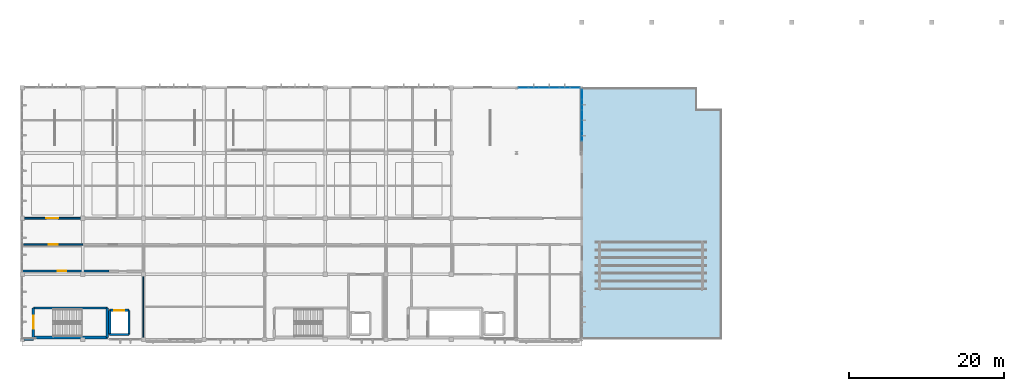
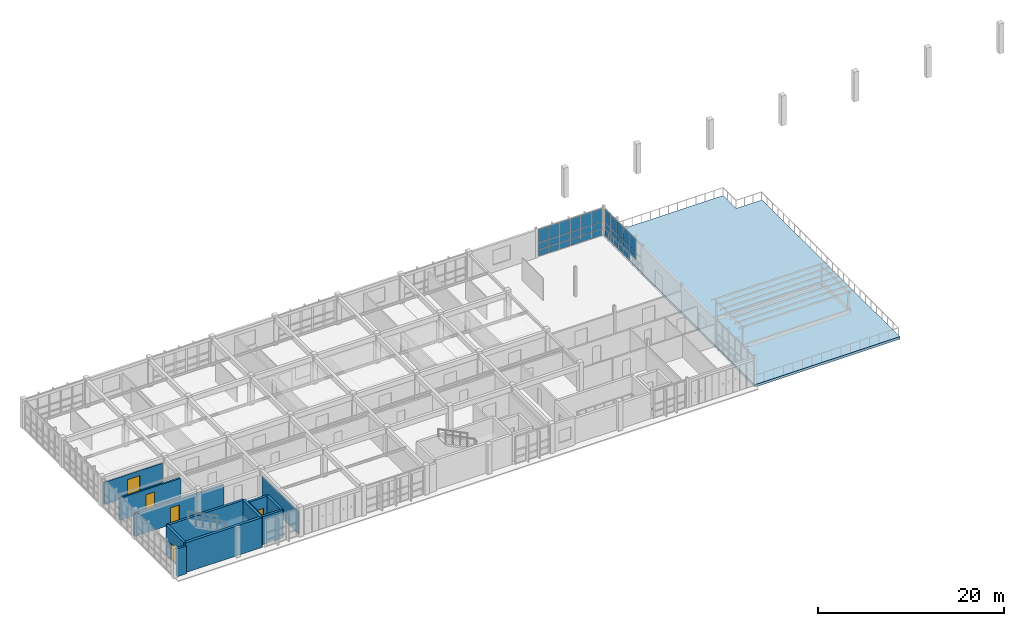
# One storey, part 21 of 35: 32 plates, 13 walls, 5 doors, 1 slab, 5 openings, 2 elements without a shape of their own.
"""IFC4 building model written with IfcOpenShell, lengths in metres."""

from ifc_helpers import new_model, si_unit, direction, frame, frame_2d, origin, origin_2d, place, context, subcontext, project, spatial, polyline, rectangle, outline, extrude, material, layer, layer_set, type_object, element, fill, aggregate, save


model = new_model("IFC4")

# Units and contexts
model_context = context("Model", 3, precision=1e-05, world=origin(), true_north=direction((0.0, 1.0)))
body_context = subcontext(model_context, "Body", "Model", "MODEL_VIEW")
ifc_project = project(units=[si_unit("LENGTHUNIT", "METRE"), si_unit("AREAUNIT", "SQUARE_METRE"), si_unit("VOLUMEUNIT", "CUBIC_METRE"), si_unit("PLANEANGLEUNIT", "RADIAN"), si_unit("MASSUNIT", "GRAM", prefix="KILO")], contexts=[model_context])

# Site, building, storey
site_placement = place(None, origin())
site = spatial("IfcSite", under=ifc_project, at=site_placement, CompositionType="ELEMENT")
building_placement = place(site_placement, origin())
building = spatial("IfcBuilding", under=site, at=building_placement, Name="Tizgana Railside Sports Hall", CompositionType="ELEMENT")
storey_placement = place(building_placement, frame((0.0, 0.0, 15.89990234375)))
storey = spatial("IfcBuildingStorey", under=building, at=storey_placement, Name="L03", CompositionType="ELEMENT", Elevation=15.89990234375)

# Curtain wall, plates
ifc_material_1 = material(Name="Anodised aluminium and glass", Category="aluminium")
curtain_wall_type_1 = type_object("IfcCurtainWallType", Name="Unitised Curtain Wall Passage 1800", PredefinedType="NOTDEFINED", material=ifc_material_1)
curtain_wall_1_placement = place(storey_placement, origin())
curtain_wall_1 = element("IfcCurtainWall", 1, at=curtain_wall_1_placement, inside=storey, type_object=curtain_wall_type_1, Name="L03 Curtain Wall CW-0133", PredefinedType="NOTDEFINED")
ifc_material_2 = material(Name="Double low-E laminated glass", Category="glass")
ifc_layer_1 = layer(ifc_material_2, 0.033935546875, Name="Double low-E laminated glass")
ifc_layer_set_1 = layer_set([ifc_layer_1], Name="Double low-E laminated glass")
plate_type_1 = type_object("IfcPlateType", Name="Acoustic Laminated Glazing Panel 34", PredefinedType="CURTAIN_PANEL", material=ifc_layer_set_1)
plate_1_placement = place(storey_placement, frame((79.800048828125, 31.5224609375, 0.06005859375), z_axis=(0.0, 0.0, 1.0), x_axis=(0.0, -1.0, 0.0)))
plate_1 = element("IfcPlate", 2, at=plate_1_placement, type_object=plate_type_1, Name="CW-06 panel 1.1", PredefinedType="CURTAIN_PANEL", context=body_context, shape_type="SweptSolid", body=[
    extrude(rectangle(XDim=1.2451171875, YDim=0.033935546875, at=origin_2d()), origin(), (0.0, 0.0, 1.0), 0.81005859375),
])
plate_2_placement = place(storey_placement, frame((79.800048828125, 31.5224609375, 0.93017578125), z_axis=(0.0, 0.0, 1.0), x_axis=(0.0, -1.0, 0.0)))
plate_2 = element("IfcPlate", 3, at=plate_2_placement, type_object=plate_type_1, Name="CW-06 panel 1.2", PredefinedType="CURTAIN_PANEL", context=body_context, shape_type="SweptSolid", body=[
    extrude(rectangle(XDim=1.2451171875, YDim=0.033935546875, at=origin_2d()), origin(), (0.0, 0.0, 1.0), 0.860107421875),
])
plate_3_placement = place(storey_placement, frame((79.800048828125, 31.5224609375, 1.85009765625), z_axis=(0.0, 0.0, 1.0), x_axis=(0.0, -1.0, 0.0)))
plate_3 = element("IfcPlate", 4, at=plate_3_placement, type_object=plate_type_1, Name="CW-06 panel 1.3", PredefinedType="CURTAIN_PANEL", context=body_context, shape_type="SweptSolid", body=[
    extrude(rectangle(XDim=1.2451171875, YDim=0.033935546875, at=origin_2d()), origin(), (0.0, 0.0, 1.0), 1.72998046875),
])
plate_4_placement = place(storey_placement, frame((79.800048828125, 30.202392578125, 0.06005859375), z_axis=(0.0, 0.0, 1.0), x_axis=(0.0, -1.0, 0.0)))
plate_4 = element("IfcPlate", 5, at=plate_4_placement, type_object=plate_type_1, Name="CW-06 panel 2.1", PredefinedType="CURTAIN_PANEL", context=body_context, shape_type="SweptSolid", body=[
    extrude(rectangle(XDim=1.27490234375, YDim=0.033935546875, at=origin_2d()), origin(), (0.0, 0.0, 1.0), 0.81005859375),
])
plate_5_placement = place(storey_placement, frame((79.800048828125, 30.202392578125, 0.93017578125), z_axis=(0.0, 0.0, 1.0), x_axis=(0.0, -1.0, 0.0)))
plate_5 = element("IfcPlate", 6, at=plate_5_placement, type_object=plate_type_1, Name="CW-06 panel 2.2", PredefinedType="CURTAIN_PANEL", context=body_context, shape_type="SweptSolid", body=[
    extrude(rectangle(XDim=1.27490234375, YDim=0.033935546875, at=origin_2d()), origin(), (0.0, 0.0, 1.0), 0.860107421875),
])
plate_6_placement = place(storey_placement, frame((79.800048828125, 30.202392578125, 1.85009765625), z_axis=(0.0, 0.0, 1.0), x_axis=(0.0, -1.0, 0.0)))
plate_6 = element("IfcPlate", 7, at=plate_6_placement, type_object=plate_type_1, Name="CW-06 panel 2.3", PredefinedType="CURTAIN_PANEL", context=body_context, shape_type="SweptSolid", body=[
    extrude(rectangle(XDim=1.27490234375, YDim=0.033935546875, at=origin_2d()), origin(), (0.0, 0.0, 1.0), 1.72998046875),
])
plate_7_placement = place(storey_placement, frame((79.800048828125, 28.867431640625, 0.06005859375), z_axis=(0.0, 0.0, 1.0), x_axis=(0.0, -1.0, 0.0)))
plate_7 = element("IfcPlate", 8, at=plate_7_placement, type_object=plate_type_1, Name="CW-06 panel 3.1", PredefinedType="CURTAIN_PANEL", context=body_context, shape_type="SweptSolid", body=[
    extrude(rectangle(XDim=1.27490234375, YDim=0.033935546875, at=origin_2d()), origin(), (0.0, 0.0, 1.0), 0.81005859375),
])
plate_8_placement = place(storey_placement, frame((79.800048828125, 28.867431640625, 0.93017578125), z_axis=(0.0, 0.0, 1.0), x_axis=(0.0, -1.0, 0.0)))
plate_8 = element("IfcPlate", 9, at=plate_8_placement, type_object=plate_type_1, Name="CW-06 panel 3.2", PredefinedType="CURTAIN_PANEL", context=body_context, shape_type="SweptSolid", body=[
    extrude(rectangle(XDim=1.27490234375, YDim=0.033935546875, at=origin_2d()), origin(), (0.0, 0.0, 1.0), 0.860107421875),
])
plate_9_placement = place(storey_placement, frame((79.800048828125, 28.867431640625, 1.85009765625), z_axis=(0.0, 0.0, 1.0), x_axis=(0.0, -1.0, 0.0)))
plate_9 = element("IfcPlate", 10, at=plate_9_placement, type_object=plate_type_1, Name="CW-06 panel 3.3", PredefinedType="CURTAIN_PANEL", context=body_context, shape_type="SweptSolid", body=[
    extrude(rectangle(XDim=1.27490234375, YDim=0.033935546875, at=origin_2d()), origin(), (0.0, 0.0, 1.0), 1.72998046875),
])
plate_10_placement = place(storey_placement, frame((79.800048828125, 27.532470703125, 0.06005859375), z_axis=(0.0, 0.0, 1.0), x_axis=(0.0, -1.0, 0.0)))
plate_10 = element("IfcPlate", 11, at=plate_10_placement, type_object=plate_type_1, Name="CW-06 panel 4.1", PredefinedType="CURTAIN_PANEL", context=body_context, shape_type="SweptSolid", body=[
    extrude(rectangle(XDim=1.27490234375, YDim=0.033935546875, at=origin_2d()), origin(), (0.0, 0.0, 1.0), 0.81005859375),
])
plate_11_placement = place(storey_placement, frame((79.800048828125, 27.532470703125, 0.93017578125), z_axis=(0.0, 0.0, 1.0), x_axis=(0.0, -1.0, 0.0)))
plate_11 = element("IfcPlate", 12, at=plate_11_placement, type_object=plate_type_1, Name="CW-06 panel 4.2", PredefinedType="CURTAIN_PANEL", context=body_context, shape_type="SweptSolid", body=[
    extrude(rectangle(XDim=1.27490234375, YDim=0.033935546875, at=origin_2d()), origin(), (0.0, 0.0, 1.0), 0.860107421875),
])
plate_12_placement = place(storey_placement, frame((79.800048828125, 27.532470703125, 1.85009765625), z_axis=(0.0, 0.0, 1.0), x_axis=(0.0, -1.0, 0.0)))
plate_12 = element("IfcPlate", 13, at=plate_12_placement, type_object=plate_type_1, Name="CW-06 panel 4.3", PredefinedType="CURTAIN_PANEL", context=body_context, shape_type="SweptSolid", body=[
    extrude(rectangle(XDim=1.27490234375, YDim=0.033935546875, at=origin_2d()), origin(), (0.0, 0.0, 1.0), 1.72998046875),
])
plate_13_placement = place(storey_placement, frame((79.800048828125, 26.197509765625, 0.93017578125), z_axis=(0.0, 0.0, 1.0), x_axis=(0.0, -1.0, 0.0)))
plate_13 = element("IfcPlate", 14, at=plate_13_placement, type_object=plate_type_1, Name="CW-06 panel 5.2", PredefinedType="CURTAIN_PANEL", context=body_context, shape_type="SweptSolid", body=[
    extrude(rectangle(XDim=1.27490234375, YDim=0.033935546875, at=origin_2d()), origin(), (0.0, 0.0, 1.0), 0.860107421875),
])
plate_14_placement = place(storey_placement, frame((79.800048828125, 26.197509765625, 1.85009765625), z_axis=(0.0, 0.0, 1.0), x_axis=(0.0, -1.0, 0.0)))
plate_14 = element("IfcPlate", 15, at=plate_14_placement, type_object=plate_type_1, Name="CW-06 panel 5.3", PredefinedType="CURTAIN_PANEL", context=body_context, shape_type="SweptSolid", body=[
    extrude(rectangle(XDim=1.27490234375, YDim=0.033935546875, at=origin_2d()), origin(), (0.0, 0.0, 1.0), 1.72998046875),
])
aggregate(curtain_wall_1, [plate_1, plate_2, plate_3, plate_4, plate_5, plate_6, plate_7, plate_8, plate_9, plate_10, plate_11, plate_12, plate_13, plate_14])

curtain_wall_type_2 = type_object("IfcCurtainWallType", Name="Unitised Curtain Wall EastHall 1500", PredefinedType="NOTDEFINED", material=ifc_material_1)
curtain_wall_2_placement = place(storey_placement, origin())
curtain_wall_2 = element("IfcCurtainWall", 16, at=curtain_wall_2_placement, inside=storey, type_object=curtain_wall_type_2, Name="L03 Curtain Wall CW-0127", PredefinedType="NOTDEFINED")
ifc_layer_2 = layer(ifc_material_2, 0.031982421875, Name="Double low-E laminated glass")
ifc_layer_set_2 = layer_set([ifc_layer_2], Name="Double low-E laminated glass")
plate_type_2 = type_object("IfcPlateType", Name="North-Light Clerestory Glazing Panel 32", PredefinedType="CURTAIN_PANEL", material=ifc_layer_set_2)
plate_15_placement = place(storey_placement, frame((72.277587890625, 32.39990234375, 0.06005859375), z_axis=(0.0, 0.0, 1.0), x_axis=(1.0, 0.0, 0.0)))
plate_15 = element("IfcPlate", 17, at=plate_15_placement, type_object=plate_type_2, Name="CW-08 panel 1.1", PredefinedType="CURTAIN_PANEL", context=body_context, shape_type="SweptSolid", body=[
    extrude(rectangle(XDim=1.2451171875, YDim=0.031982421875, at=origin_2d()), origin(), (0.0, 0.0, 1.0), 0.81005859375),
])
plate_16_placement = place(storey_placement, frame((72.277587890625, 32.39990234375, 0.93017578125), z_axis=(0.0, 0.0, 1.0), x_axis=(1.0, 0.0, 0.0)))
plate_16 = element("IfcPlate", 18, at=plate_16_placement, type_object=plate_type_2, Name="CW-08 panel 1.2", PredefinedType="CURTAIN_PANEL", context=body_context, shape_type="SweptSolid", body=[
    extrude(rectangle(XDim=1.2451171875, YDim=0.031982421875, at=origin_2d()), origin(), (0.0, 0.0, 1.0), 0.860107421875),
])
plate_17_placement = place(storey_placement, frame((72.277587890625, 32.39990234375, 1.85009765625), z_axis=(0.0, 0.0, 1.0), x_axis=(1.0, 0.0, 0.0)))
plate_17 = element("IfcPlate", 19, at=plate_17_placement, type_object=plate_type_2, Name="CW-08 panel 1.3", PredefinedType="CURTAIN_PANEL", context=body_context, shape_type="SweptSolid", body=[
    extrude(rectangle(XDim=1.2451171875, YDim=0.031982421875, at=origin_2d()), origin(), (0.0, 0.0, 1.0), 1.72998046875),
])
plate_18_placement = place(storey_placement, frame((73.597412109375, 32.39990234375, 0.06005859375), z_axis=(0.0, 0.0, 1.0), x_axis=(1.0, 0.0, 0.0)))
plate_18 = element("IfcPlate", 20, at=plate_18_placement, type_object=plate_type_2, Name="CW-08 panel 2.1", PredefinedType="CURTAIN_PANEL", context=body_context, shape_type="SweptSolid", body=[
    extrude(rectangle(XDim=1.27490234375, YDim=0.031982421875, at=origin_2d()), origin(), (0.0, 0.0, 1.0), 0.81005859375),
])
plate_19_placement = place(storey_placement, frame((73.597412109375, 32.39990234375, 0.93017578125), z_axis=(0.0, 0.0, 1.0), x_axis=(1.0, 0.0, 0.0)))
plate_19 = element("IfcPlate", 21, at=plate_19_placement, type_object=plate_type_2, Name="CW-08 panel 2.2", PredefinedType="CURTAIN_PANEL", context=body_context, shape_type="SweptSolid", body=[
    extrude(rectangle(XDim=1.27490234375, YDim=0.031982421875, at=origin_2d()), origin(), (0.0, 0.0, 1.0), 0.860107421875),
])
plate_20_placement = place(storey_placement, frame((73.597412109375, 32.39990234375, 1.85009765625), z_axis=(0.0, 0.0, 1.0), x_axis=(1.0, 0.0, 0.0)))
plate_20 = element("IfcPlate", 22, at=plate_20_placement, type_object=plate_type_2, Name="CW-08 panel 2.3", PredefinedType="CURTAIN_PANEL", context=body_context, shape_type="SweptSolid", body=[
    extrude(rectangle(XDim=1.27490234375, YDim=0.031982421875, at=origin_2d()), origin(), (0.0, 0.0, 1.0), 1.72998046875),
])
plate_21_placement = place(storey_placement, frame((74.9326171875, 32.39990234375, 0.06005859375), z_axis=(0.0, 0.0, 1.0), x_axis=(1.0, 0.0, 0.0)))
plate_21 = element("IfcPlate", 23, at=plate_21_placement, type_object=plate_type_2, Name="CW-08 panel 3.1", PredefinedType="CURTAIN_PANEL", context=body_context, shape_type="SweptSolid", body=[
    extrude(rectangle(XDim=1.27490234375, YDim=0.031982421875, at=origin_2d()), origin(), (0.0, 0.0, 1.0), 0.81005859375),
])
plate_22_placement = place(storey_placement, frame((74.9326171875, 32.39990234375, 0.93017578125), z_axis=(0.0, 0.0, 1.0), x_axis=(1.0, 0.0, 0.0)))
plate_22 = element("IfcPlate", 24, at=plate_22_placement, type_object=plate_type_2, Name="CW-08 panel 3.2", PredefinedType="CURTAIN_PANEL", context=body_context, shape_type="SweptSolid", body=[
    extrude(rectangle(XDim=1.27490234375, YDim=0.031982421875, at=origin_2d()), origin(), (0.0, 0.0, 1.0), 0.860107421875),
])
plate_23_placement = place(storey_placement, frame((74.9326171875, 32.39990234375, 1.85009765625), z_axis=(0.0, 0.0, 1.0), x_axis=(1.0, 0.0, 0.0)))
plate_23 = element("IfcPlate", 25, at=plate_23_placement, type_object=plate_type_2, Name="CW-08 panel 3.3", PredefinedType="CURTAIN_PANEL", context=body_context, shape_type="SweptSolid", body=[
    extrude(rectangle(XDim=1.27490234375, YDim=0.031982421875, at=origin_2d()), origin(), (0.0, 0.0, 1.0), 1.72998046875),
])
plate_24_placement = place(storey_placement, frame((76.267578125, 32.39990234375, 0.06005859375), z_axis=(0.0, 0.0, 1.0), x_axis=(1.0, 0.0, 0.0)))
plate_24 = element("IfcPlate", 26, at=plate_24_placement, type_object=plate_type_2, Name="CW-08 panel 4.1", PredefinedType="CURTAIN_PANEL", context=body_context, shape_type="SweptSolid", body=[
    extrude(rectangle(XDim=1.27490234375, YDim=0.031982421875, at=origin_2d()), origin(), (0.0, 0.0, 1.0), 0.81005859375),
])
plate_25_placement = place(storey_placement, frame((76.267578125, 32.39990234375, 0.93017578125), z_axis=(0.0, 0.0, 1.0), x_axis=(1.0, 0.0, 0.0)))
plate_25 = element("IfcPlate", 27, at=plate_25_placement, type_object=plate_type_2, Name="CW-08 panel 4.2", PredefinedType="CURTAIN_PANEL", context=body_context, shape_type="SweptSolid", body=[
    extrude(rectangle(XDim=1.27490234375, YDim=0.031982421875, at=origin_2d()), origin(), (0.0, 0.0, 1.0), 0.860107421875),
])
plate_26_placement = place(storey_placement, frame((76.267578125, 32.39990234375, 1.85009765625), z_axis=(0.0, 0.0, 1.0), x_axis=(1.0, 0.0, 0.0)))
plate_26 = element("IfcPlate", 28, at=plate_26_placement, type_object=plate_type_2, Name="CW-08 panel 4.3", PredefinedType="CURTAIN_PANEL", context=body_context, shape_type="SweptSolid", body=[
    extrude(rectangle(XDim=1.27490234375, YDim=0.031982421875, at=origin_2d()), origin(), (0.0, 0.0, 1.0), 1.72998046875),
])
plate_27_placement = place(storey_placement, frame((77.6025390625, 32.39990234375, 0.06005859375), z_axis=(0.0, 0.0, 1.0), x_axis=(1.0, 0.0, 0.0)))
plate_27 = element("IfcPlate", 29, at=plate_27_placement, type_object=plate_type_2, Name="CW-08 panel 5.1", PredefinedType="CURTAIN_PANEL", context=body_context, shape_type="SweptSolid", body=[
    extrude(rectangle(XDim=1.27490234375, YDim=0.031982421875, at=origin_2d()), origin(), (0.0, 0.0, 1.0), 0.81005859375),
])
plate_28_placement = place(storey_placement, frame((77.6025390625, 32.39990234375, 0.93017578125), z_axis=(0.0, 0.0, 1.0), x_axis=(1.0, 0.0, 0.0)))
plate_28 = element("IfcPlate", 30, at=plate_28_placement, type_object=plate_type_2, Name="CW-08 panel 5.2", PredefinedType="CURTAIN_PANEL", context=body_context, shape_type="SweptSolid", body=[
    extrude(rectangle(XDim=1.27490234375, YDim=0.031982421875, at=origin_2d()), origin(), (0.0, 0.0, 1.0), 0.860107421875),
])
plate_29_placement = place(storey_placement, frame((77.6025390625, 32.39990234375, 1.85009765625), z_axis=(0.0, 0.0, 1.0), x_axis=(1.0, 0.0, 0.0)))
plate_29 = element("IfcPlate", 31, at=plate_29_placement, type_object=plate_type_2, Name="CW-08 panel 5.3", PredefinedType="CURTAIN_PANEL", context=body_context, shape_type="SweptSolid", body=[
    extrude(rectangle(XDim=1.27490234375, YDim=0.031982421875, at=origin_2d()), origin(), (0.0, 0.0, 1.0), 1.72998046875),
])
plate_30_placement = place(storey_placement, frame((78.922607421875, 32.39990234375, 0.06005859375), z_axis=(0.0, 0.0, 1.0), x_axis=(1.0, 0.0, 0.0)))
plate_30 = element("IfcPlate", 32, at=plate_30_placement, type_object=plate_type_2, Name="CW-08 panel 6.1", PredefinedType="CURTAIN_PANEL", context=body_context, shape_type="SweptSolid", body=[
    extrude(rectangle(XDim=1.2451171875, YDim=0.031982421875, at=origin_2d()), origin(), (0.0, 0.0, 1.0), 0.81005859375),
])
plate_31_placement = place(storey_placement, frame((78.922607421875, 32.39990234375, 0.93017578125), z_axis=(0.0, 0.0, 1.0), x_axis=(1.0, 0.0, 0.0)))
plate_31 = element("IfcPlate", 33, at=plate_31_placement, type_object=plate_type_2, Name="CW-08 panel 6.2", PredefinedType="CURTAIN_PANEL", context=body_context, shape_type="SweptSolid", body=[
    extrude(rectangle(XDim=1.2451171875, YDim=0.031982421875, at=origin_2d()), origin(), (0.0, 0.0, 1.0), 0.860107421875),
])
plate_32_placement = place(storey_placement, frame((78.922607421875, 32.39990234375, 1.85009765625), z_axis=(0.0, 0.0, 1.0), x_axis=(1.0, 0.0, 0.0)))
plate_32 = element("IfcPlate", 34, at=plate_32_placement, type_object=plate_type_2, Name="CW-08 panel 6.3", PredefinedType="CURTAIN_PANEL", context=body_context, shape_type="SweptSolid", body=[
    extrude(rectangle(XDim=1.2451171875, YDim=0.031982421875, at=origin_2d()), origin(), (0.0, 0.0, 1.0), 1.72998046875),
])
aggregate(curtain_wall_2, [plate_15, plate_16, plate_17, plate_18, plate_19, plate_20, plate_21, plate_22, plate_23, plate_24, plate_25, plate_26, plate_27, plate_28, plate_29, plate_30, plate_31, plate_32])

# Slab
ifc_material_3 = material(Name="Concrete C35/45", Category="concrete")
ifc_layer_3 = layer(ifc_material_3, 0.330078125, Name="Concrete C35/45")
ifc_layer_set_3 = layer_set([ifc_layer_3], Name="Concrete C35/45")
slab_type = type_object("IfcSlabType", Name="Stepped Athletic Terrace Deck 330", PredefinedType="FLOOR", material=ifc_layer_set_3)
slab_placement = place(storey_placement, frame((0.0, 0.0, -0.329833984375)))
element("IfcSlab", 35, at=slab_placement, inside=storey, type_object=slab_type, Name="L03 V5 L03 East Terrace SLB-0036", PredefinedType="FLOOR", context=body_context, shape_type="SweptSolid", body=[
    extrude(outline(polyline([(79.800048828125, 0.0), (97.800048828125, 0.0), (97.800048828125, 29.60009765625), (94.60009765625, 29.60009765625), (94.60009765625, 32.39990234375), (79.800048828125, 32.39990234375), (79.800048828125, 0.0)])), origin(), (0.0, 0.0, 1.0), 0.329833984375),
])

# Wall
ifc_material_4 = material(Name="Concrete C40/50", Category="concrete")
ifc_layer_4 = layer(ifc_material_4, 0.300048828125, Name="Concrete C40/50")
ifc_layer_set_4 = layer_set([ifc_layer_4], Name="Concrete C40/50")
wall_type_1 = type_object("IfcWallType", Name="Core Shear Wall 300", PredefinedType="SHEAR", material=ifc_layer_set_4)
wall_1_placement = place(storey_placement, frame((9.25, 4.050048828125, 0.0), z_axis=(0.0, 0.0, 1.0), x_axis=(1.0, 0.0, 0.0)))
element("IfcWall", 36, at=wall_1_placement, inside=storey, type_object=wall_type_1, Name="L03 C1 Shaft Wall N", PredefinedType="SHEAR", context=body_context, shape_type="SweptSolid", body=[
    extrude(rectangle(XDim=9.5, YDim=0.300048828125, at=frame_2d((4.75, 0.0))), origin(), (0.0, 0.0, 1.0), 3.900146484375),
])

# Wall, opening, door
wall_2_placement = place(storey_placement, frame((9.25, 0.25, 0.0), z_axis=(0.0, 0.0, 1.0), x_axis=(0.0, 1.0, 0.0)))
wall_2 = element("IfcWall", 37, at=wall_2_placement, inside=storey, type_object=wall_type_1, Name="L03 C1 Shaft Wall W", PredefinedType="SHEAR", context=body_context, shape_type="SweptSolid", body=[
    extrude(rectangle(XDim=3.800048828125, YDim=0.300048828125, at=frame_2d((1.89990234375, 0.0))), origin(), (0.0, 0.0, 1.0), 3.900146484375),
])
opening_1_placement = place(wall_2_placement, frame((1.14990234375, 0.0, 0.0)))
opening_1 = element("IfcOpeningElement", 38, at=opening_1_placement, cuts=wall_2, Name="Opening D-0041", PredefinedType="OPENING", context=body_context, shape_type="SweptSolid", body=[
    extrude(rectangle(XDim=1.64990234375, YDim=2.199951171875, at=frame_2d((0.824951171875, 1.10009765625))), frame((0.0, 0.159912109375, 0.0), z_axis=(0.0, -1.0, 0.0), x_axis=(1.0, 0.0, 0.0)), (0.0, 0.0, 1.0), 0.320068359375),
])
ifc_material_5 = material(Name="Timber fire leaf", Category="wood")
door_type_1 = type_object("IfcDoorType", Name="Stair Core Double Fire Door 1650x2200", OperationType="NOTDEFINED", PredefinedType="DOOR", material=ifc_material_5)
door_1_placement = place(opening_1_placement, origin())
door_1 = element("IfcDoor", 39, at=door_1_placement, inside=storey, type_object=door_type_1, Name="L03 Door D-0041", OperationType="DOUBLE_DOOR_SINGLE_SWING", OverallHeight=2.199951171875, OverallWidth=1.64990234375, PredefinedType="DOOR", context=body_context, shape_type="SweptSolid", body=[
    extrude(rectangle(XDim=1.64990234375, YDim=2.199951171875, at=frame_2d((0.824951171875, 1.10009765625))), frame((0.0, 0.02490234375, 0.0), z_axis=(0.0, -1.0, 0.0), x_axis=(1.0, 0.0, 0.0)), (0.0, 0.0, 1.0), 0.050048828125),
])
fill(opening_1, door_1)

# Walls
wall_3_placement = place(storey_placement, frame((18.75, 0.25, 0.0), z_axis=(0.0, 0.0, 1.0), x_axis=(0.0, 1.0, 0.0)))
element("IfcWall", 40, at=wall_3_placement, inside=storey, type_object=wall_type_1, Name="L03 C1 Shaft Wall E", PredefinedType="SHEAR", context=body_context, shape_type="SweptSolid", body=[
    extrude(rectangle(XDim=3.800048828125, YDim=0.300048828125, at=frame_2d((1.89990234375, 0.0))), origin(), (0.0, 0.0, 1.0), 3.900146484375),
])
wall_4_placement = place(storey_placement, frame((19.050048828125, 0.64990234375, 0.0), z_axis=(0.0, 0.0, 1.0), x_axis=(1.0, 0.0, 0.0)))
element("IfcWall", 41, at=wall_4_placement, inside=storey, type_object=wall_type_1, Name="L03 LF-01 Shaft Wall S", PredefinedType="SHEAR", context=body_context, shape_type="SweptSolid", body=[
    extrude(rectangle(XDim=2.5, YDim=0.300048828125, at=frame_2d((1.25, 0.0))), origin(), (0.0, 0.0, 1.0), 3.64013671875),
])

# Wall, opening, door
wall_5_placement = place(storey_placement, frame((19.050048828125, 3.75, 0.0), z_axis=(0.0, 0.0, 1.0), x_axis=(1.0, 0.0, 0.0)))
wall_5 = element("IfcWall", 42, at=wall_5_placement, inside=storey, type_object=wall_type_1, Name="L03 LF-01 Shaft Wall N", PredefinedType="SHEAR", context=body_context, shape_type="SweptSolid", body=[
    extrude(rectangle(XDim=2.5, YDim=0.300048828125, at=frame_2d((1.25, 0.0))), origin(), (0.0, 0.0, 1.0), 3.64013671875),
])
opening_2_placement = place(wall_5_placement, frame((0.60009765625, 0.0, 0.0)))
opening_2 = element("IfcOpeningElement", 43, at=opening_2_placement, cuts=wall_5, Name="Opening D-0047", PredefinedType="OPENING", context=body_context, shape_type="SweptSolid", body=[
    extrude(rectangle(XDim=1.300048828125, YDim=2.199951171875, at=frame_2d((0.64990234375, 1.10009765625))), frame((0.0, 0.159912109375, 0.0), z_axis=(0.0, -1.0, 0.0), x_axis=(1.0, 0.0, 0.0)), (0.0, 0.0, 1.0), 0.320068359375),
])
ifc_material_6 = material(Name="Brushed stainless steel", Category="steel")
door_type_2 = type_object("IfcDoorType", Name="Stretcher Lift Sliding Door 1300x2200", OperationType="NOTDEFINED", PredefinedType="DOOR", material=ifc_material_6)
door_2_placement = place(opening_2_placement, origin())
door_2 = element("IfcDoor", 44, at=door_2_placement, inside=storey, type_object=door_type_2, Name="L03 Door D-0047", OperationType="DOUBLE_DOOR_SLIDING", OverallHeight=2.199951171875, OverallWidth=1.300048828125, PredefinedType="DOOR", context=body_context, shape_type="SweptSolid", body=[
    extrude(rectangle(XDim=1.300048828125, YDim=2.199951171875, at=frame_2d((0.64990234375, 1.10009765625))), frame((0.0, 0.02490234375, 0.0), z_axis=(0.0, -1.0, 0.0), x_axis=(1.0, 0.0, 0.0)), (0.0, 0.0, 1.0), 0.050048828125),
])
fill(opening_2, door_2)

# Walls
for number, where, z_axis, x_axis, name in (
    (45, (19.050048828125, 0.64990234375, 0.0), (0.0, 0.0, 1.0), (0.0, 1.0, 0.0), "L03 LF-01 Shaft Wall W"),
    (46, (21.550048828125, 0.64990234375, 0.0), (0.0, 0.0, 1.0), (0.0, 1.0, 0.0), "L03 LF-01 Shaft Wall E"),
):
    element("IfcWall", number, at=place(storey_placement, frame(where, z_axis=z_axis, x_axis=x_axis)), inside=storey, type_object=wall_type_1, Name=name, PredefinedType="SHEAR", context=body_context, shape_type="SweptSolid", body=[
        extrude(rectangle(XDim=3.10009765625, YDim=0.300048828125, at=frame_2d((1.550048828125, 0.0))), origin(), (0.0, 0.0, 1.0), 3.64013671875),
    ])

# Wall, opening, door
ifc_material_7 = material(Name="Masonry blockwork", Category="masonry")
ifc_layer_5 = layer(ifc_material_7, 0.199951171875, Name="Masonry blockwork")
ifc_layer_set_5 = layer_set([ifc_layer_5], Name="Masonry blockwork")
wall_type_2 = type_object("IfcWallType", Name="Corridor Compartment Partition 200", PredefinedType="STANDARD", material=ifc_layer_set_5)
wall_6_placement = place(storey_placement, frame((8.0849609375, 15.60009765625, 0.0), z_axis=(0.0, 0.0, 1.0), x_axis=(1.0, 0.0, 0.0)))
wall_6 = element("IfcWall", 47, at=wall_6_placement, inside=storey, type_object=wall_type_2, Name="L03 Partition PWAL-0154", PredefinedType="STANDARD", context=body_context, shape_type="SweptSolid", body=[
    extrude(rectangle(XDim=7.22998046875, YDim=0.199951171875, at=frame_2d((3.614990234375, 0.0))), origin(), (0.0, 0.0, 1.0), 2.900146484375),
])
opening_3_placement = place(wall_6_placement, frame((2.840087890625, 0.0, 0.0)))
opening_3 = element("IfcOpeningElement", 48, at=opening_3_placement, cuts=wall_6, Name="Opening D-0188", PredefinedType="OPENING", context=body_context, shape_type="SweptSolid", body=[
    extrude(rectangle(XDim=1.550048828125, YDim=2.25, at=frame_2d((0.77490234375, 1.125))), frame((0.0, 0.10986328125, 0.0), z_axis=(0.0, -1.0, 0.0), x_axis=(1.0, 0.0, 0.0)), (0.0, 0.0, 1.0), 0.219970703125),
])
ifc_material_8 = material(Name="Acoustic perforated timber", Category="wood")
door_type_3 = type_object("IfcDoorType", Name="Studio Acoustic Double Door 1550x2250", OperationType="NOTDEFINED", PredefinedType="DOOR", material=ifc_material_8)
door_3_placement = place(opening_3_placement, origin())
door_3 = element("IfcDoor", 49, at=door_3_placement, inside=storey, type_object=door_type_3, Name="L03 Door D-0188", OperationType="DOUBLE_DOOR_SINGLE_SWING", OverallHeight=2.25, OverallWidth=1.550048828125, PredefinedType="DOOR", context=body_context, shape_type="SweptSolid", body=[
    extrude(rectangle(XDim=1.550048828125, YDim=2.25, at=frame_2d((0.77490234375, 1.125))), frame((0.0, 0.02490234375, 0.0), z_axis=(0.0, -1.0, 0.0), x_axis=(1.0, 0.0, 0.0)), (0.0, 0.0, 1.0), 0.050048828125),
])
fill(opening_3, door_3)

wall_7_placement = place(storey_placement, frame((8.0, 12.199951171875, 0.0), z_axis=(0.0, 0.0, 1.0), x_axis=(1.0, 0.0, 0.0)))
wall_7 = element("IfcWall", 50, at=wall_7_placement, inside=storey, type_object=wall_type_2, Name="L03 Partition PWAL-0155", PredefinedType="STANDARD", context=body_context, shape_type="SweptSolid", body=[
    extrude(rectangle(XDim=7.60009765625, YDim=0.199951171875, at=frame_2d((3.800048828125, 0.0))), origin(), (0.0, 0.0, 1.0), 2.900146484375),
])
opening_4_placement = place(wall_7_placement, frame((3.25, 0.0, 0.0)))
opening_4 = element("IfcOpeningElement", 51, at=opening_4_placement, cuts=wall_7, Name="Opening D-0189", PredefinedType="OPENING", context=body_context, shape_type="SweptSolid", body=[
    extrude(rectangle(XDim=1.10009765625, YDim=2.199951171875, at=frame_2d((0.550048828125, 1.10009765625))), frame((0.0, 0.10986328125, 0.0), z_axis=(0.0, -1.0, 0.0), x_axis=(1.0, 0.0, 0.0)), (0.0, 0.0, 1.0), 0.219970703125),
])
door_type_4 = type_object("IfcDoorType", Name="Firefighting Lobby Fire Door 1100x2200", OperationType="NOTDEFINED", PredefinedType="DOOR", material=ifc_material_5)
door_4_placement = place(opening_4_placement, origin())
door_4 = element("IfcDoor", 52, at=door_4_placement, inside=storey, type_object=door_type_4, Name="L03 Door D-0189", OperationType="SINGLE_SWING_LEFT", OverallHeight=2.199951171875, OverallWidth=1.10009765625, PredefinedType="DOOR", context=body_context, shape_type="SweptSolid", body=[
    extrude(rectangle(XDim=1.10009765625, YDim=2.199951171875, at=frame_2d((0.550048828125, 1.10009765625))), frame((0.0, 0.02490234375, 0.0), z_axis=(0.0, -1.0, 0.0), x_axis=(1.0, 0.0, 0.0)), (0.0, 0.0, 1.0), 0.050048828125),
])
fill(opening_4, door_4)

# Walls
ifc_layer_6 = layer(ifc_material_3, 0.340087890625, Name="Concrete C35/45")
ifc_layer_set_6 = layer_set([ifc_layer_6], Name="Concrete C35/45")
wall_type_3 = type_object("IfcWallType", Name="Exterior Insulated Concrete Wall 340", PredefinedType="STANDARD", material=ifc_layer_set_6)
wall_8_placement = place(storey_placement, frame((18.75, 0.25, 0.0), z_axis=(0.0, 0.0, 1.0), x_axis=(-1.0, 0.0, 0.0)))
element("IfcWall", 53, at=wall_8_placement, inside=storey, type_object=wall_type_3, Name="L03 C1 Shaft Wall S", PredefinedType="STANDARD", context=body_context, shape_type="SweptSolid", body=[
    extrude(rectangle(XDim=9.5, YDim=0.340087890625, at=frame_2d((4.75, 0.0))), origin(), (0.0, 0.0, 1.0), 3.900146484375),
])
ifc_material_9 = material(Name="Precast concrete C40/50", Category="concrete")
ifc_layer_7 = layer(ifc_material_9, 0.27001953125, Name="Precast concrete C40/50")
ifc_layer_set_7 = layer_set([ifc_layer_7], Name="Precast concrete C40/50")
wall_type_4 = type_object("IfcWallType", Name="Exterior Studio Facade Wall 270", PredefinedType="STANDARD", material=ifc_layer_set_7)
wall_9_placement = place(storey_placement, frame((9.2451171875, 0.0, 0.0), z_axis=(0.0, 0.0, 1.0), x_axis=(-1.0, 0.0, 0.0)))
element("IfcWall", 54, at=wall_9_placement, inside=storey, type_object=wall_type_4, Name="L03 Exterior Wall EWAL-0110", PredefinedType="STANDARD", context=body_context, shape_type="SweptSolid", body=[
    extrude(rectangle(XDim=1.18017578125, YDim=0.27001953125, at=frame_2d((0.590087890625, 0.0))), origin(), (0.0, 0.0, 1.0), 3.64013671875),
])

# Wall, opening, door
ifc_layer_8 = layer(ifc_material_3, 0.239990234375, Name="Concrete C35/45")
ifc_layer_set_8 = layer_set([ifc_layer_8], Name="Concrete C35/45")
wall_type_5 = type_object("IfcWallType", Name="Firefighting Lobby Wall 240", PredefinedType="STANDARD", material=ifc_layer_set_8)
wall_10_placement = place(storey_placement, frame((7.842529296875, 8.800048828125, 0.0), z_axis=(0.0, 0.0, 1.0), x_axis=(1.0, 0.0, 0.0)))
wall_10 = element("IfcWall", 55, at=wall_10_placement, inside=storey, type_object=wall_type_5, Name="L03 Partition PWAL-0304", PredefinedType="STANDARD", context=body_context, shape_type="SweptSolid", body=[
    extrude(rectangle(XDim=11.157470703125, YDim=0.239990234375, at=frame_2d((5.57861328125, 0.0))), origin(), (0.0, 0.0, 1.0), 2.900146484375),
])
opening_5_placement = place(wall_10_placement, frame((4.507568359375, 0.0, 0.0)))
opening_5 = element("IfcOpeningElement", 56, at=opening_5_placement, cuts=wall_10, Name="Opening D-0282", PredefinedType="OPENING", context=body_context, shape_type="SweptSolid", body=[
    extrude(rectangle(XDim=1.10009765625, YDim=2.199951171875, at=frame_2d((0.550048828125, 1.10009765625))), frame((0.0, 0.1298828125, 0.0), z_axis=(0.0, -1.0, 0.0), x_axis=(1.0, 0.0, 0.0)), (0.0, 0.0, 1.0), 0.260009765625),
])
door_5_placement = place(opening_5_placement, origin())
door_5 = element("IfcDoor", 57, at=door_5_placement, inside=storey, type_object=door_type_4, Name="L03 Door D-0282", OperationType="SINGLE_SWING_LEFT", OverallHeight=2.199951171875, OverallWidth=1.10009765625, PredefinedType="DOOR", context=body_context, shape_type="SweptSolid", body=[
    extrude(rectangle(XDim=1.10009765625, YDim=2.199951171875, at=frame_2d((0.550048828125, 1.10009765625))), frame((0.0, 0.02490234375, 0.0), z_axis=(0.0, -1.0, 0.0), x_axis=(1.0, 0.0, 0.0)), (0.0, 0.0, 1.0), 0.050048828125),
])
fill(opening_5, door_5)

# Wall
ifc_material_10 = material(Name="Acoustic gypsum stud")
ifc_layer_9 = layer(ifc_material_10, 0.1298828125, Name="Acoustic gypsum stud")
ifc_layer_set_9 = layer_set([ifc_layer_9], Name="Acoustic gypsum stud")
wall_type_6 = type_object("IfcWallType", Name="General Interior Partition 130", PredefinedType="STANDARD", material=ifc_layer_set_9)
wall_11_placement = place(storey_placement, frame((23.39990234375, 0.284912109375, 0.0), z_axis=(0.0, 0.0, 1.0), x_axis=(0.0, 1.0, 0.0)))
element("IfcWall", 58, at=wall_11_placement, inside=storey, type_object=wall_type_6, Name="L03 Partition PWAL-0175", PredefinedType="STANDARD", context=body_context, shape_type="SweptSolid", body=[
    extrude(rectangle(XDim=7.830078125, YDim=0.1298828125, at=frame_2d((3.9150390625, 0.0))), origin(), (0.0, 0.0, 1.0), 2.900146484375),
])

save(model, "model.ifc")
